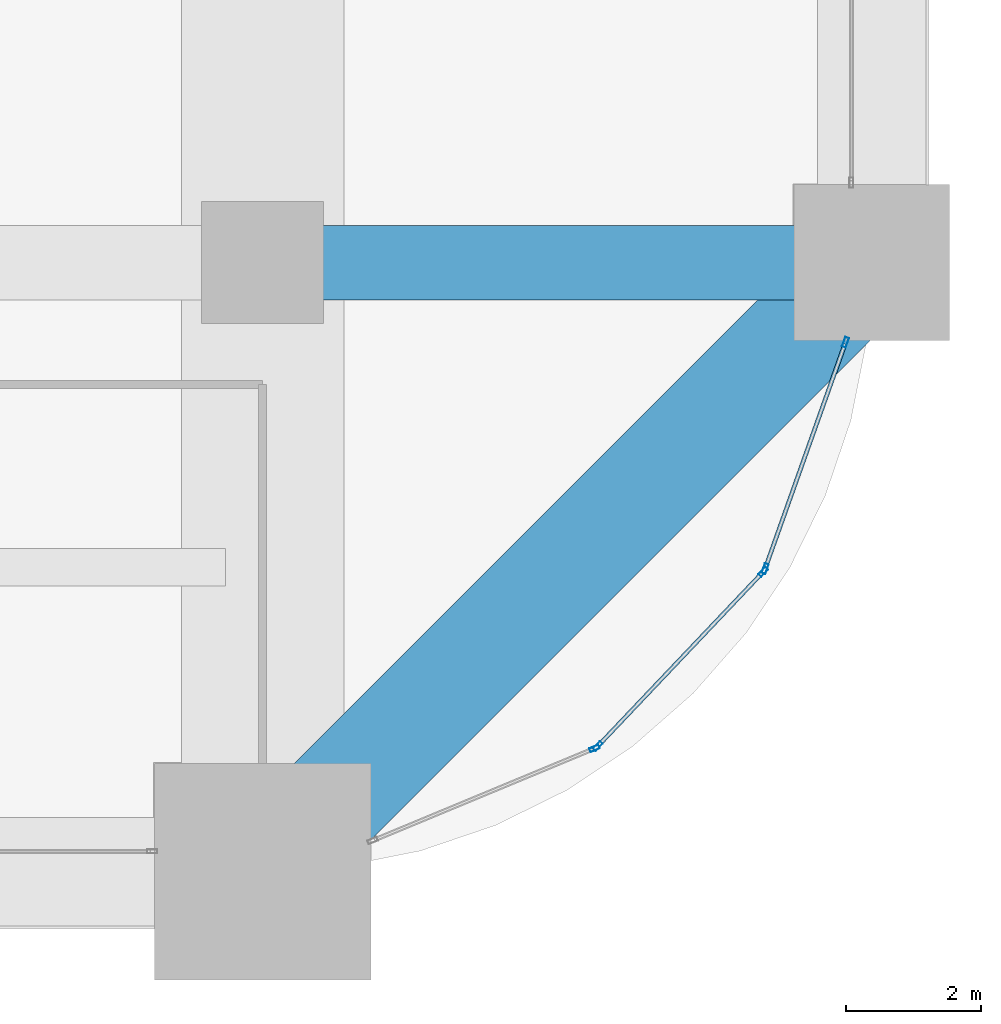
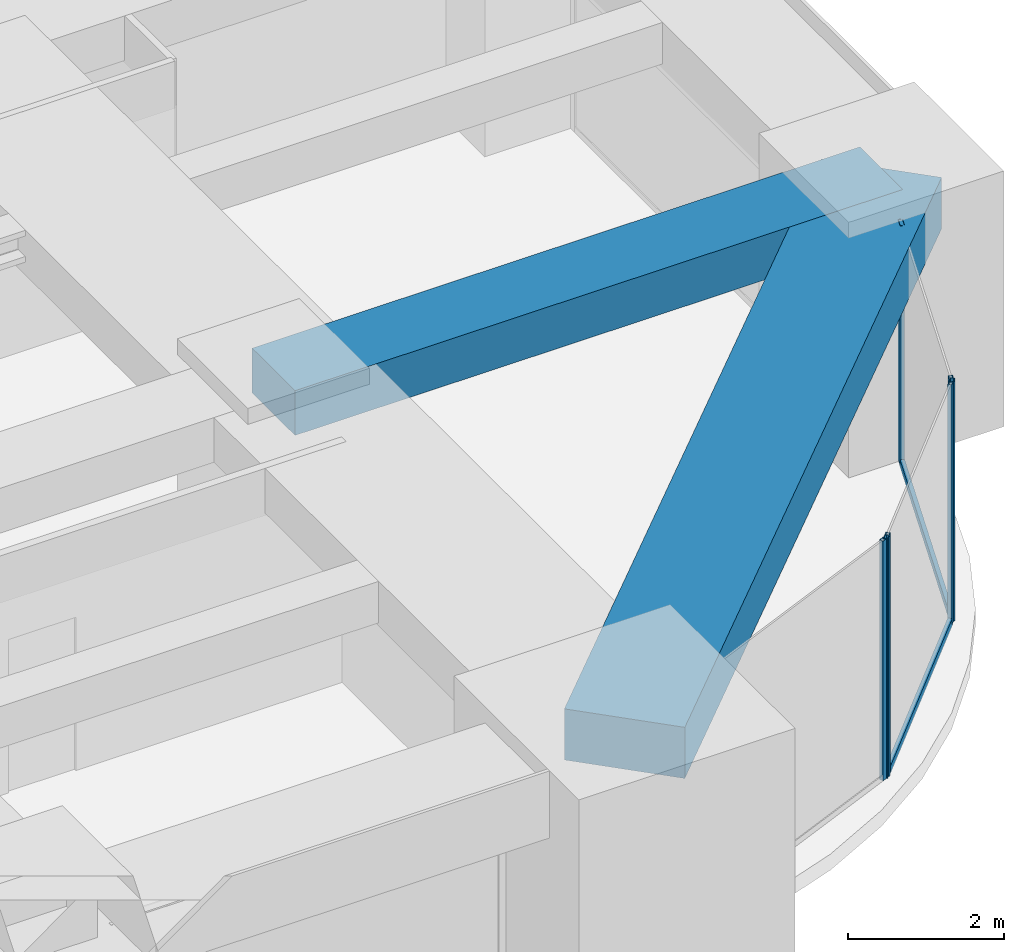
# One storey, part 17 of 36: 7 members, 2 beams, 3 elements without a shape of their own.
"""IFC4 building model written with IfcOpenShell, lengths in metres."""

import ifcopenshell
import ifcopenshell.guid

model = None  # the IFC model being written
_history = None  # IfcOwnerHistory: only IFC2X3 demands one
_inside = {}  # id of a spatial element -> (the spatial element, [elements in it])
_under = {}  # id of a project, library or spatial element -> (it, [spatial elements below it])
_declared = {}  # id of a project -> (the project, [libraries it declares])
_typed = {}  # id of a type object -> (the type object, [elements of that type])
_made_of = {}  # id of a material, layer set ... -> (it, [elements and type objects made of it])


def new_model(schema):
    """Start an empty IFC model of exactly this schema.

    Asked for "IFC4X3", IfcOpenShell would pick the latest addendum, in which some entities
    have other attributes; the version numbers below select the first issue.
    IFC2X3 requires an IfcOwnerHistory on every rooted entity: one is made here for all.
    """
    global model, _history
    if schema == "IFC4X3":
        model = ifcopenshell.file(schema_version=(4, 3, 0, 0))
    else:
        model = ifcopenshell.file(schema=schema)
    _inside.clear()
    _under.clear()
    _declared.clear()
    _typed.clear()
    _made_of.clear()
    _history = None
    if model.schema == "IFC2X3":
        org = make("IfcOrganization", Name="unknown")
        user = make(
            "IfcPersonAndOrganization",
            ThePerson=make("IfcPerson", FamilyName="unknown"),
            TheOrganization=org,
        )
        app = make(
            "IfcApplication",
            ApplicationDeveloper=org,
            Version="unknown",
            ApplicationFullName="unknown",
            ApplicationIdentifier="unknown",
        )
        _history = make(
            "IfcOwnerHistory",
            OwningUser=user,
            OwningApplication=app,
            ChangeAction="ADDED",
            CreationDate=0,
        )
    return model


def make(cls, **values):
    """One entity of the class cls with the attributes given. An attribute that is None is left unset."""
    return model.create_entity(
        cls, **{name: value for name, value in values.items() if value is not None}
    )


def rooted(cls, **values):
    """An entity with a GlobalId (a new one), such as an element, a storey or a relation."""
    return make(cls, GlobalId=ifcopenshell.guid.new(), OwnerHistory=_history, **values)


def si_unit(unit_type, name, prefix=None):
    """IfcSIUnit, for example si_unit("LENGTHUNIT", "METRE", prefix="MILLI")."""
    return make("IfcSIUnit", UnitType=unit_type, Prefix=prefix, Name=name)


def assignment(units):
    """IfcUnitAssignment: the units of a project."""
    return None if units is None else make("IfcUnitAssignment", Units=units)


def point(xyz):
    """IfcCartesianPoint."""
    return None if xyz is None else make("IfcCartesianPoint", Coordinates=xyz)


def direction(xyz):
    """IfcDirection."""
    return None if xyz is None else make("IfcDirection", DirectionRatios=xyz)


def frame(location, z_axis=None, x_axis=None):
    """IfcAxis2Placement3D, a coordinate frame: its origin and axes. An axis left out is left unset."""
    return make(
        "IfcAxis2Placement3D",
        Location=point(location),
        Axis=direction(z_axis),
        RefDirection=direction(x_axis),
    )


def frame_2d(location, x_axis=None):
    """IfcAxis2Placement2D, a coordinate frame in the plane: its origin and x axis."""
    return make(
        "IfcAxis2Placement2D", Location=point(location), RefDirection=direction(x_axis)
    )


def origin():
    """The frame at (0, 0, 0) with its axes left unset."""
    return frame((0.0, 0.0, 0.0))


def origin_2d():
    """The frame at (0, 0) in the plane with its x axis left unset."""
    return frame_2d((0.0, 0.0))


def place(relative_to, where):
    """IfcLocalPlacement: puts the frame where relative to a parent placement (None: the world)."""
    return make(
        "IfcLocalPlacement", PlacementRelTo=relative_to, RelativePlacement=where
    )


def context(
    kind, dimensions, precision=None, world=None, true_north=None, identifier=None
):
    """IfcGeometricRepresentationContext, for example the 3D "Model" context."""
    return make(
        "IfcGeometricRepresentationContext",
        ContextIdentifier=identifier,
        ContextType=kind,
        CoordinateSpaceDimension=dimensions,
        Precision=precision,
        WorldCoordinateSystem=world,
        TrueNorth=true_north,
    )


def subcontext(parent, identifier, kind, view, scale=None):
    """IfcGeometricRepresentationSubContext, for example "Body" below "Model"."""
    return make(
        "IfcGeometricRepresentationSubContext",
        ContextIdentifier=identifier,
        ContextType=kind,
        ParentContext=parent,
        TargetScale=scale,
        TargetView=view,
    )


def project(units=None, contexts=None):
    """IfcProject with its units and contexts."""
    return rooted(
        "IfcProject",
        Name="project",
        RepresentationContexts=contexts,
        UnitsInContext=assignment(units),
    )


def spatial(cls, under=None, at=None, **own):
    """A site, building, storey or space (cls), placed at a placement, below another one or the project."""
    s = rooted(cls, ObjectPlacement=at, **own)
    if under is not None:
        _under.setdefault(under.id(), (under, []))[1].append(s)
    return s


def profile(cls, at=None, kind="AREA", **sizes):
    """A parametric profile (cls). Its sizes go by their IFC names, for example OverallWidth=200.0."""
    return make(cls, ProfileType=kind, Position=at, **sizes)


def rectangle(**sizes):
    """IfcRectangleProfileDef."""
    return profile("IfcRectangleProfileDef", **sizes)


def hollow_rectangle(**sizes):
    """IfcRectangleHollowProfileDef."""
    return profile("IfcRectangleHollowProfileDef", **sizes)


def extrude(swept, where, along, depth):
    """IfcExtrudedAreaSolid: the profile swept, set in the frame where, extruded along a direction by depth."""
    return make(
        "IfcExtrudedAreaSolid",
        SweptArea=swept,
        Position=where,
        ExtrudedDirection=direction(along),
        Depth=depth,
    )


def shape(context_of_items, identifier, shape_type, items):
    """IfcShapeRepresentation: the items that make up one representation, for example the "Body"."""
    return make(
        "IfcShapeRepresentation",
        ContextOfItems=context_of_items,
        RepresentationIdentifier=identifier,
        RepresentationType=shape_type,
        Items=items,
    )


def material(Name=None, Category=None):
    """IfcMaterial."""
    return make("IfcMaterial", Name=Name, Category=Category)


def material_profile(
    of_material, cross_section, Name=None, Category=None, Priority=None
):
    """IfcMaterialProfile: a cross section and its material."""
    return make(
        "IfcMaterialProfile",
        Name=Name,
        Material=of_material,
        Profile=cross_section,
        Priority=Priority,
        Category=Category,
    )


def profile_set(profiles, Name=None, composite=None):
    """IfcMaterialProfileSet."""
    return make(
        "IfcMaterialProfileSet",
        Name=Name,
        MaterialProfiles=profiles,
        CompositeProfile=composite,
    )


def made_of(thing, what):
    """Note that an element or type object is made of a material, layer set ...; save() writes the relation."""
    if what is not None:
        _made_of.setdefault(what.id(), (what, []))[1].append(thing)
    return thing


def type_object(cls, material=None, **own):
    """A type object (cls), such as IfcWallType, which elements share."""
    return made_of(rooted(cls, **own), material)


def element(
    cls,
    number,
    at=None,
    inside=None,
    cuts=None,
    type_object=None,
    material=None,
    context=None,
    identifier="Body",
    shape_type=None,
    held_by="IfcProductDefinitionShape",
    body=None,
    shapes=None,
    **own,
):
    """One element of the class cls, such as IfcWall. Its Tag is "e" and its number.

    at: its placement. inside: the storey or other place that contains it. cuts: it is an
    opening in that element (IfcRelVoidsElement). A single representation is given by context,
    identifier, shape_type and body (its items); several are given by shapes. held_by: the class
    of the entity that holds the representations. save() writes the other relations.
    """
    e = rooted(cls, Tag="e%d" % number, ObjectPlacement=at, **own)
    if body is not None:
        shapes = [shape(context, identifier, shape_type, body)]
    if shapes is not None:
        e.Representation = make(held_by, Representations=shapes)
    if inside is not None:
        _inside.setdefault(inside.id(), (inside, []))[1].append(e)
    if cuts is not None:
        rooted(
            "IfcRelVoidsElement", RelatingBuildingElement=cuts, RelatedOpeningElement=e
        )
    if type_object is not None:
        _typed.setdefault(type_object.id(), (type_object, []))[1].append(e)
    return made_of(e, material)


def aggregate(whole, parts):
    """IfcRelAggregates: a whole, such as a stair, and the parts it consists of."""
    return rooted("IfcRelAggregates", RelatingObject=whole, RelatedObjects=parts)


def save(model, path):
    """Write the relations noted so far, then the file.

    IfcRelAggregates (storeys below a building ...), IfcRelContainedInSpatialStructure (elements
    in a storey), IfcRelDefinesByType, IfcRelAssociatesMaterial and IfcRelDeclares: one each for
    every whole, place, type object, material and project.
    """
    for whole, parts in _under.values():
        aggregate(whole, parts)
    for where, things in _inside.values():
        rooted(
            "IfcRelContainedInSpatialStructure",
            RelatedElements=things,
            RelatingStructure=where,
        )
    for kind, things in _typed.values():
        rooted("IfcRelDefinesByType", RelatedObjects=things, RelatingType=kind)
    for what, things in _made_of.values():
        rooted("IfcRelAssociatesMaterial", RelatedObjects=things, RelatingMaterial=what)
    for by, libraries in _declared.values():
        rooted("IfcRelDeclares", RelatingContext=by, RelatedDefinitions=libraries)
    model.write(path)


model = new_model("IFC4")

# Units and contexts
model_context = context("Model", 3, precision=1e-05, world=origin(), true_north=direction((0.0, 1.0)))
body_context = subcontext(model_context, "Body", "Model", "MODEL_VIEW")
ifc_project = project(units=[si_unit("LENGTHUNIT", "METRE"), si_unit("AREAUNIT", "SQUARE_METRE"), si_unit("VOLUMEUNIT", "CUBIC_METRE"), si_unit("PLANEANGLEUNIT", "RADIAN"), si_unit("MASSUNIT", "GRAM", prefix="KILO")], contexts=[model_context])

# Site, building, storey
site_placement = place(None, origin())
site = spatial("IfcSite", under=ifc_project, at=site_placement, CompositionType="ELEMENT")
building_placement = place(site_placement, origin())
building = spatial("IfcBuilding", under=site, at=building_placement, Name="Zorevar Civic Tower", CompositionType="ELEMENT")
storey_placement = place(building_placement, frame((0.0, 0.0, 166.199951171875)))
storey = spatial("IfcBuildingStorey", under=building, at=storey_placement, Name="L40", CompositionType="ELEMENT", Elevation=166.199951171875)

# Beam
ifc_material_1 = material(Name="Concrete C50/60", Category="concrete")
ifc_material_profile_1 = material_profile(ifc_material_1, rectangle(XDim=1.10009765625, YDim=0.699951171875, at=origin_2d()), Name="RC 1100x700")
ifc_profile_set_1 = profile_set([ifc_material_profile_1], Name="Concrete C50/60")
beam_type_1 = type_object("IfcBeamType", Name="Beam RC 1100x700", PredefinedType="BEAM", material=ifc_profile_set_1)
beam_1_placement = place(storey_placement, frame((45.0, 9.0, 3.400146484375), z_axis=(1.0, 0.0, 0.0), x_axis=(0.0, 1.0, 0.0)))
element("IfcBeam", 1, at=beam_1_placement, inside=storey, type_object=beam_type_1, Name="Girder L41", PredefinedType="BEAM", context=body_context, shape_type="SweptSolid", body=[
    extrude(rectangle(XDim=1.10009765625, YDim=0.699951171875, at=origin_2d()), origin(), (0.0, 0.0, 1.0), 9.0),
])

# Curtain wall, member
ifc_material_2 = material(Name="Dark grey solar-control glass in black aluminium frame", Category="aluminium")
curtain_wall_type = type_object("IfcCurtainWallType", Name="Curtain wall CW4 high zone", PredefinedType="NOTDEFINED", material=ifc_material_2)
curtain_wall_1_placement = place(storey_placement, origin())
curtain_wall_1 = element("IfcCurtainWall", 2, at=curtain_wall_1_placement, inside=storey, type_object=curtain_wall_type, Name="CW4 L40", PredefinedType="NOTDEFINED")
ifc_material_3 = material(Name="Aluminium, black anodised", Category="aluminium")
ifc_material_profile_2 = material_profile(ifc_material_3, hollow_rectangle(XDim=0.06005859375, YDim=0.14990234375, WallThickness=0.00390625, at=origin_2d()), Name="AL 150x60x4")
ifc_profile_set_2 = profile_set([ifc_material_profile_2], Name="Aluminium, black anodised")
member_type_1 = type_object("IfcMemberType", Name="CW4 mullion AL 150x60x4", PredefinedType="MULLION", material=ifc_profile_set_2)
member_1_placement = place(storey_placement, frame((49.904052734375, 1.821533203125, 0.0), z_axis=(0.0, 0.0, 1.0), x_axis=(-0.383728339979, 0.923446025005, 0.0)))
member_1 = element("IfcMember", 3, at=member_1_placement, type_object=member_type_1, Name="CW4 mullion 2", PredefinedType="MULLION", context=body_context, shape_type="SweptSolid", body=[
    extrude(hollow_rectangle(XDim=0.06005859375, YDim=0.14990234375, WallThickness=0.00390625, at=origin_2d()), origin(), (0.0, 0.0, 1.0), 3.75),
])
aggregate(curtain_wall_1, [member_1])

# Curtain wall, members
curtain_wall_2_placement = place(storey_placement, origin())
curtain_wall_2 = element("IfcCurtainWall", 4, at=curtain_wall_2_placement, inside=storey, type_object=curtain_wall_type, Name="CW4 L40", PredefinedType="NOTDEFINED")
member_2_placement = place(storey_placement, frame((49.952392578125, 1.854736328125, 0.0), z_axis=(0.0, 0.0, 1.0), x_axis=(-0.725384309743, 0.688344102306, 0.0)))
member_2 = element("IfcMember", 5, at=member_2_placement, type_object=member_type_1, Name="CW4 mullion 1", PredefinedType="MULLION", context=body_context, shape_type="SweptSolid", body=[
    extrude(hollow_rectangle(XDim=0.06005859375, YDim=0.14990234375, WallThickness=0.00390625, at=origin_2d()), origin(), (0.0, 0.0, 1.0), 3.75),
])
member_3_placement = place(storey_placement, frame((52.394775390625, 4.428466796875, 0.0), z_axis=(0.0, 0.0, 1.0), x_axis=(-0.725384309743, 0.688344102306, 0.0)))
member_3 = element("IfcMember", 6, at=member_3_placement, type_object=member_type_1, Name="CW4 mullion 2", PredefinedType="MULLION", context=body_context, shape_type="SweptSolid", body=[
    extrude(hollow_rectangle(XDim=0.06005859375, YDim=0.14990234375, WallThickness=0.00390625, at=origin_2d()), origin(), (0.0, 0.0, 1.0), 3.75),
])

curtain_wall_3_placement = place(storey_placement, origin())
curtain_wall_3 = element("IfcCurtainWall", 7, at=curtain_wall_3_placement, inside=storey, type_object=curtain_wall_type, Name="CW4 L40", PredefinedType="NOTDEFINED")
member_4_placement = place(storey_placement, frame((52.425537109375, 4.478515625, 0.0), z_axis=(0.0, 0.0, 1.0), x_axis=(-0.942273078759, 0.334845404696, 0.0)))
member_4 = element("IfcMember", 8, at=member_4_placement, type_object=member_type_1, Name="CW4 mullion 1", PredefinedType="MULLION", context=body_context, shape_type="SweptSolid", body=[
    extrude(hollow_rectangle(XDim=0.06005859375, YDim=0.14990234375, WallThickness=0.00390625, at=origin_2d()), origin(), (0.0, 0.0, 1.0), 3.75),
])
member_5_placement = place(storey_placement, frame((53.613525390625, 7.82177734375, 0.0), z_axis=(0.0, 0.0, 1.0), x_axis=(-0.942273078759, 0.334845404696, 0.0)))
member_5 = element("IfcMember", 9, at=member_5_placement, type_object=member_type_1, Name="CW4 mullion 2", PredefinedType="MULLION", context=body_context, shape_type="SweptSolid", body=[
    extrude(hollow_rectangle(XDim=0.06005859375, YDim=0.14990234375, WallThickness=0.00390625, at=origin_2d()), origin(), (0.0, 0.0, 1.0), 3.75),
])

# Member
ifc_material_4 = material(Name="Aluminium, black anodised", Category="aluminium")
ifc_material_profile_3 = material_profile(ifc_material_4, hollow_rectangle(XDim=0.06005859375, YDim=0.1201171875, WallThickness=0.0029296875, at=origin_2d()), Name="AL 120x60x3")
ifc_profile_set_3 = profile_set([ifc_material_profile_3], Name="Aluminium, black anodised")
member_type_2 = type_object("IfcMemberType", Name="CW4 transom AL 120x60x3", PredefinedType="USERDEFINED", material=ifc_profile_set_3)
member_6_placement = place(storey_placement, frame((49.97314453125, 1.87646484375, 0.030029296875), z_axis=(0.688352043151, 0.725376774297, 0.0), x_axis=(-0.725376774297, 0.688352043151, 0.0)))
member_6 = element("IfcMember", 10, at=member_6_placement, type_object=member_type_2, Name="CW4 sill transom", ObjectType="TRANSOM", PredefinedType="USERDEFINED", context=body_context, shape_type="SweptSolid", body=[
    extrude(hollow_rectangle(XDim=0.06005859375, YDim=0.1201171875, WallThickness=0.0029296875, at=origin_2d()), origin(), (0.0, 0.0, 1.0), 3.48828125),
])

aggregate(curtain_wall_2, [member_2, member_3, member_6])

member_7_placement = place(storey_placement, frame((52.435546875, 4.5068359375, 0.030029296875), z_axis=(0.334855005681, 0.942269666906, 0.0), x_axis=(-0.942269666906, 0.334855005681, 0.0)))
member_7 = element("IfcMember", 11, at=member_7_placement, type_object=member_type_2, Name="CW4 sill transom", ObjectType="TRANSOM", PredefinedType="USERDEFINED", context=body_context, shape_type="SweptSolid", body=[
    extrude(hollow_rectangle(XDim=0.06005859375, YDim=0.1201171875, WallThickness=0.0029296875, at=origin_2d()), origin(), (0.0, 0.0, 1.0), 3.488037109375),
])

aggregate(curtain_wall_3, [member_4, member_5, member_7])

# Beam
ifc_material_5 = material(Name="Concrete C50/60", Category="concrete")
ifc_material_profile_4 = material_profile(ifc_material_5, rectangle(XDim=1.60009765625, YDim=0.800048828125, at=origin_2d()), Name="RC 1600x800")
ifc_profile_set_4 = profile_set([ifc_material_profile_4], Name="Concrete C50/60")
beam_type_2 = type_object("IfcBeamType", Name="Edge beam RC 1600x800", PredefinedType="SPANDREL", material=ifc_profile_set_4)
beam_2_placement = place(storey_placement, frame((45.0, 0.0, 3.35009765625), z_axis=(0.707106781187, 0.707106781187, 0.0), x_axis=(-0.707106781187, 0.707106781187, 0.0)))
element("IfcBeam", 12, at=beam_2_placement, inside=storey, type_object=beam_type_2, Name="Corner edge beam L41", PredefinedType="SPANDREL", context=body_context, shape_type="SweptSolid", body=[
    extrude(rectangle(XDim=1.60009765625, YDim=0.800048828125, at=origin_2d()), origin(), (0.0, 0.0, 1.0), 12.72802734375),
])

save(model, "model.ifc")
